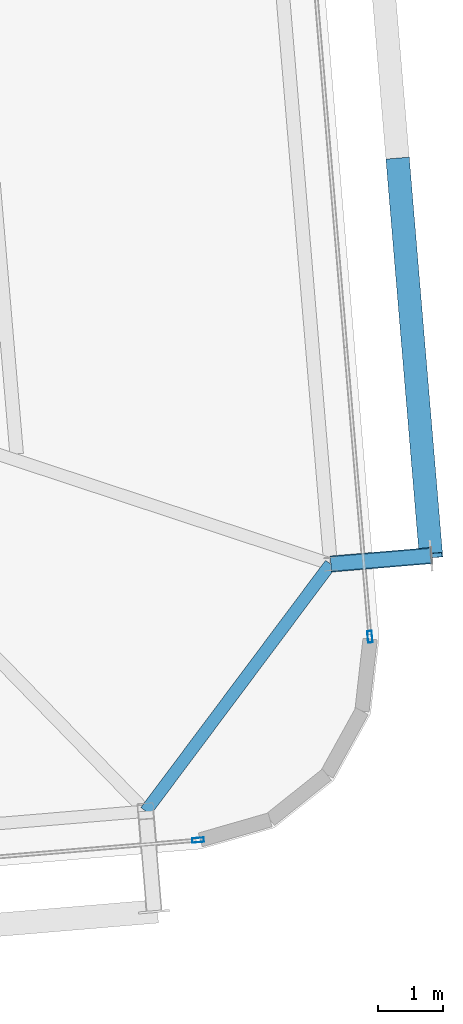
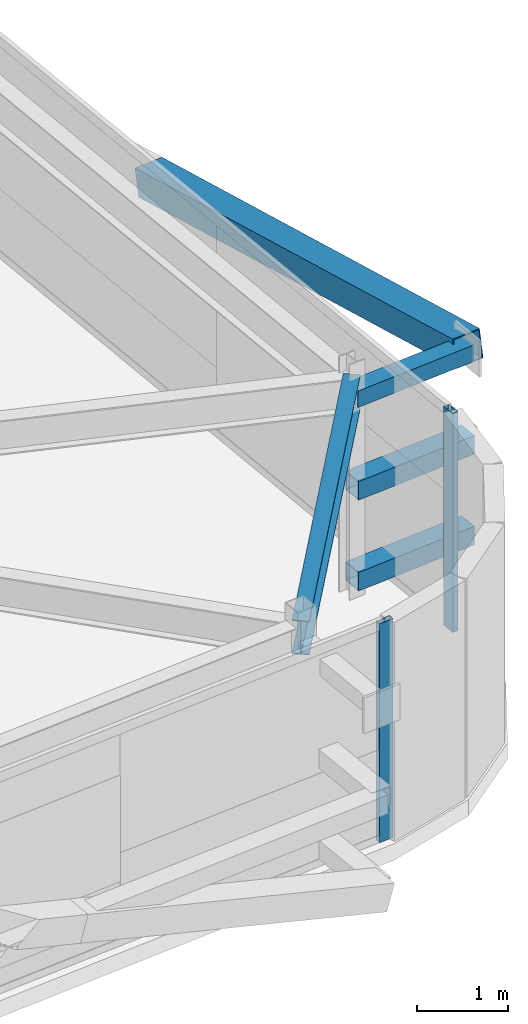
# One storey, part 18 of 37: 6 members, 1 beam, 2 elements without a shape of their own.
"""IFC4 building model written with IfcOpenShell, lengths in metres."""

from ifc_helpers import new_model, si_unit, direction, frame, origin, origin_2d, place, context, subcontext, project, spatial, hollow_rectangle, i_section, extrude, source, transform, mapped, material, layer, layer_set, material_profile, profile_set, type_object, element, aggregate, save


model = new_model("IFC4")

# Units and contexts
model_context = context("Model", 3, precision=1e-05, world=origin(), true_north=direction((0.0, 1.0)))
body_context = subcontext(model_context, "Body", "Model", "MODEL_VIEW")
ifc_project = project(units=[si_unit("LENGTHUNIT", "METRE"), si_unit("AREAUNIT", "SQUARE_METRE"), si_unit("VOLUMEUNIT", "CUBIC_METRE"), si_unit("PLANEANGLEUNIT", "RADIAN"), si_unit("MASSUNIT", "GRAM", prefix="KILO")], contexts=[model_context])

# Site, building, storey
site_placement = place(None, origin())
site = spatial("IfcSite", under=ifc_project, at=site_placement, CompositionType="ELEMENT")
building_placement = place(site_placement, origin())
building = spatial("IfcBuilding", under=site, at=building_placement, Name="Taldren Reach Tower", CompositionType="ELEMENT")
storey_placement = place(building_placement, frame((0.0, 0.0, 200.89990234375)))
storey = spatial("IfcBuildingStorey", under=building, at=storey_placement, Name="L61", CompositionType="ELEMENT", Elevation=200.89990234375)

# Beam
ifc_material_1 = material(Name="Steel Gr 350 (350PLUS)", Category="steel")
ifc_material_profile_1 = material_profile(ifc_material_1, i_section(OverallWidth=0.18994140625, OverallDepth=0.4541015625, WebThickness=0.008544921875, FlangeThickness=0.0126953125, at=origin_2d()), Name="460UB67.1")
ifc_profile_set_1 = profile_set([ifc_material_profile_1], Name="Steel Gr 350 (350PLUS)")
beam_type = type_object("IfcBeamType", Name="SP-UB460B", PredefinedType="SPANDREL", material=ifc_profile_set_1)
shared_shape_1 = source(origin(), body_context, "Body", "SweptSolid", [
    extrude(i_section(OverallWidth=0.18994140625, OverallDepth=0.4541015625, WebThickness=0.008544921875, FlangeThickness=0.0126953125, at=origin_2d()), origin(), (0.0, 0.0, 1.0), 4.746337890625),
])
beam_placement = place(storey_placement, frame((58.796142578125, 5.516357421875, 2.703125), z_axis=(0.598797715541, 0.800900303323, 0.0), x_axis=(-0.800900303323, 0.598797715541, 0.0)))
element("IfcBeam", 1, at=beam_placement, inside=storey, type_object=beam_type, Name="Perimeter spandrel B4 S6-E1 L61", PredefinedType="SPANDREL", context=body_context, shape_type="MappedRepresentation", body=[
    mapped(shared_shape_1, transform((0.0, 0.0, 0.0), scale=1.0)),
])

# Members
ifc_material_2 = material(Name="Steel Gr 450 (C450L0)", Category="steel")
ifc_material_profile_2 = material_profile(ifc_material_2, hollow_rectangle(XDim=0.219970703125, YDim=0.219970703125, WallThickness=0.00830078125, at=origin_2d()), Name="220x220x8.2SHS")
ifc_profile_set_2 = profile_set([ifc_material_profile_2], Name="Steel Gr 450 (C450L0)")
member_type_1 = type_object("IfcMemberType", Name="MB-TIE219", PredefinedType="STRUT", material=ifc_profile_set_2)
shared_shape_2 = source(origin(), body_context, "Body", "SweptSolid", [
    extrude(hollow_rectangle(XDim=0.219970703125, YDim=0.219970703125, WallThickness=0.00830078125, at=origin_2d()), origin(), (0.0, 0.0, 1.0), 1.545166015625),
])
member_1_placement = place(storey_placement, frame((61.642822265625, 9.31787109375, 2.650146484375), z_axis=(0.996487766615, 0.083738467783, 0.0), x_axis=(-0.083738467783, 0.996487766615, 0.0)))
element("IfcMember", 2, at=member_1_placement, inside=storey, type_object=member_type_1, Name="Exoskeleton diaphragm tie strut B4-E1 L61", PredefinedType="STRUT", context=body_context, shape_type="MappedRepresentation", body=[
    mapped(shared_shape_2, transform((0.0, 0.0, 0.0), scale=1.0)),
])
ifc_material_3 = material(Name="Steel Gr 350 (C350L0)", Category="steel")
ifc_material_profile_3 = material_profile(ifc_material_3, hollow_rectangle(XDim=0.25, YDim=0.25, WallThickness=0.010009765625, at=origin_2d()), Name="250x250x10.0SHS")
ifc_profile_set_3 = profile_set([ifc_material_profile_3], Name="Steel Gr 350 (C350L0)")
member_type_2 = type_object("IfcMemberType", Name="MB-POST250", PredefinedType="POST", material=ifc_profile_set_3)
shared_shape_3 = source(origin(), body_context, "Body", "SweptSolid", [
    extrude(hollow_rectangle(XDim=0.25, YDim=0.25, WallThickness=0.010009765625, at=origin_2d()), origin(), (0.0, 0.0, 1.0), 1.545166015625),
])
for number, where, z_axis, x_axis, name in (
    (3, (61.642822265625, 9.31787109375, 0.22021484375), (0.996487766615, 0.083738467783, 0.0), (-0.083738467783, 0.996487766615, 0.0), "Exoskeleton base diaphragm tie strut B4-E1 L61"),
    (4, (61.642822265625, 9.31787109375, 1.43505859375), (0.996487766615, 0.083738467783, 0.0), (-0.083738467783, 0.996487766615, 0.0), "Exoskeleton mid-tier diaphragm tie B4-E1 L61"),
):
    element("IfcMember", number, at=place(storey_placement, frame(where, z_axis=z_axis, x_axis=x_axis)), inside=storey, type_object=member_type_2, Name=name, PredefinedType="POST", context=body_context, shape_type="MappedRepresentation", body=[
        mapped(shared_shape_3, transform((0.0, 0.0, 0.0), scale=1.0)),
    ])
ifc_material_profile_4 = material_profile(ifc_material_2, hollow_rectangle(XDim=0.360107421875, YDim=0.360107421875, WallThickness=0.0126953125, at=origin_2d()), Name="360x360x12.7SHS")
ifc_profile_set_4 = profile_set([ifc_material_profile_4], Name="Steel Gr 450 (C450L0)")
member_type_3 = type_object("IfcMemberType", Name="MB-EXO356", PredefinedType="BRACE", material=ifc_profile_set_4)
shared_shape_4 = source(origin(), body_context, "Body", "SweptSolid", [
    extrude(hollow_rectangle(XDim=0.360107421875, YDim=0.360107421875, WallThickness=0.0126953125, at=origin_2d()), origin(), (0.0, 0.0, 1.0), 6.219970703125),
])
member_2_placement = place(storey_placement, frame((62.672119140625, 15.52587890625, 1.43505859375), z_axis=(0.082075564879, -0.977291924611, 0.195356330179), x_axis=(0.996492003099, 0.083688038336, 0.0)))
element("IfcMember", 5, at=member_2_placement, inside=storey, type_object=member_type_3, Name="Exoskeleton Diagrid Brace B4-E1 L61", PredefinedType="BRACE", context=body_context, shape_type="MappedRepresentation", body=[
    mapped(shared_shape_4, transform((0.0, 0.0, 0.0), scale=1.0)),
])

# Curtain wall, member
ifc_material_4 = material(Name="Aluminium and Low-E Glass Unitised System", Category="aluminium")
ifc_layer = layer(ifc_material_4, 0.159912109375)
ifc_layer_set = layer_set([ifc_layer], Name="Aluminium and Low-E Glass Unitised System")
curtain_wall_type = type_object("IfcCurtainWallType", Name="CW-SYS-5", PredefinedType="NOTDEFINED", material=ifc_layer_set)
curtain_wall_1_placement = place(storey_placement, origin())
curtain_wall_1 = element("IfcCurtainWall", 6, at=curtain_wall_1_placement, inside=storey, type_object=curtain_wall_type, Name="Unitised curtain wall CW-L61-S", PredefinedType="NOTDEFINED")
ifc_material_5 = material(Name="Anodised Aluminium 6063-T6", Category="aluminium")
ifc_material_profile_5 = material_profile(ifc_material_5, hollow_rectangle(XDim=0.070068359375, YDim=0.179931640625, WallThickness=0.00390625, at=origin_2d()), Name="ALU-180x70x4RHS")
ifc_profile_set_5 = profile_set([ifc_material_profile_5], Name="Anodised Aluminium 6063-T6")
member_type_4 = type_object("IfcMemberType", Name="CW-MUL-180", PredefinedType="MULLION", material=ifc_profile_set_5)
shared_shape_5 = source(origin(), body_context, "Body", "SweptSolid", [
    extrude(hollow_rectangle(XDim=0.070068359375, YDim=0.179931640625, WallThickness=0.00390625, at=origin_2d()), origin(), (0.0, 0.0, 1.0), 2.93017578125),
])
member_3_placement = place(storey_placement, frame((59.60107421875, 5.072265625, 0.0), z_axis=(0.0, 0.0, 1.0), x_axis=(-0.083677894865, 0.996492854922, 0.0)))
member_3 = element("IfcMember", 7, at=member_3_placement, type_object=member_type_4, Name="CW-5 mullion 5", PredefinedType="MULLION", context=body_context, shape_type="MappedRepresentation", body=[
    mapped(shared_shape_5, transform((0.0, 0.0, 0.0), scale=1.0)),
])
aggregate(curtain_wall_1, [member_3])

curtain_wall_2_placement = place(storey_placement, origin())
curtain_wall_2 = element("IfcCurtainWall", 8, at=curtain_wall_2_placement, inside=storey, type_object=curtain_wall_type, Name="Unitised curtain wall CW-L61-E", PredefinedType="NOTDEFINED")
member_4_placement = place(storey_placement, frame((62.243896484375, 8.199462890625, 0.0), z_axis=(0.0, 0.0, 1.0), x_axis=(-0.996492847789, -0.083677979808, 0.0)))
member_4 = element("IfcMember", 9, at=member_4_placement, type_object=member_type_4, Name="CW-5 mullion 1", PredefinedType="MULLION", context=body_context, shape_type="MappedRepresentation", body=[
    mapped(shared_shape_5, transform((0.0, 0.0, 0.0), scale=1.0)),
])
aggregate(curtain_wall_2, [member_4])

save(model, "model.ifc")
